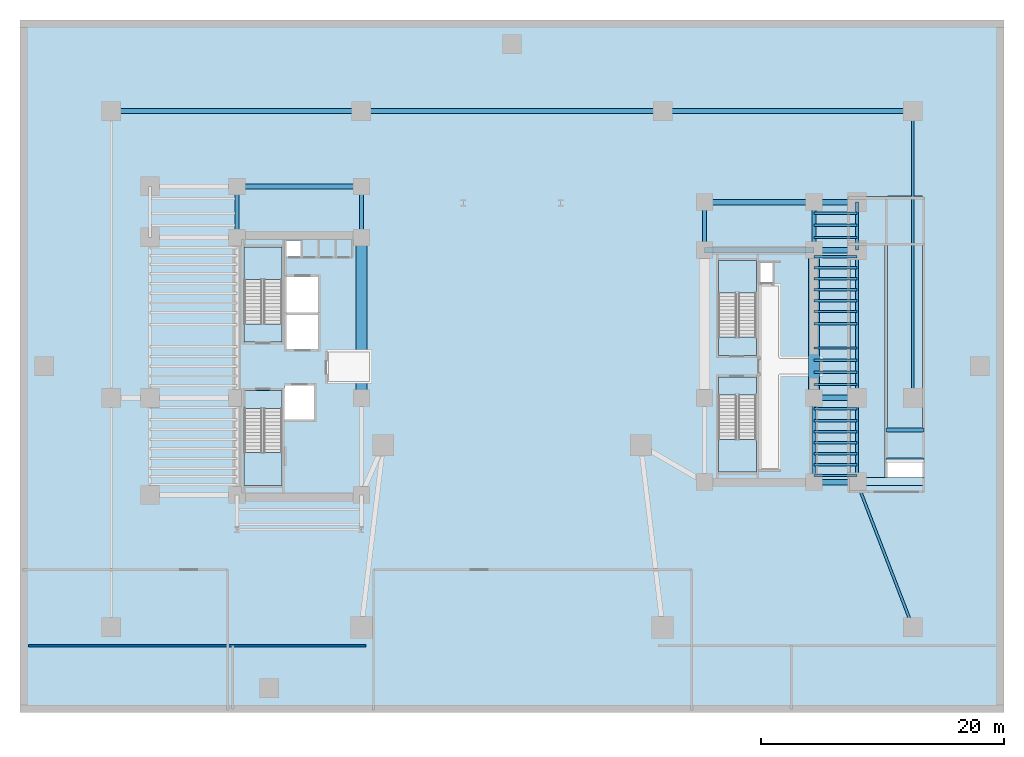
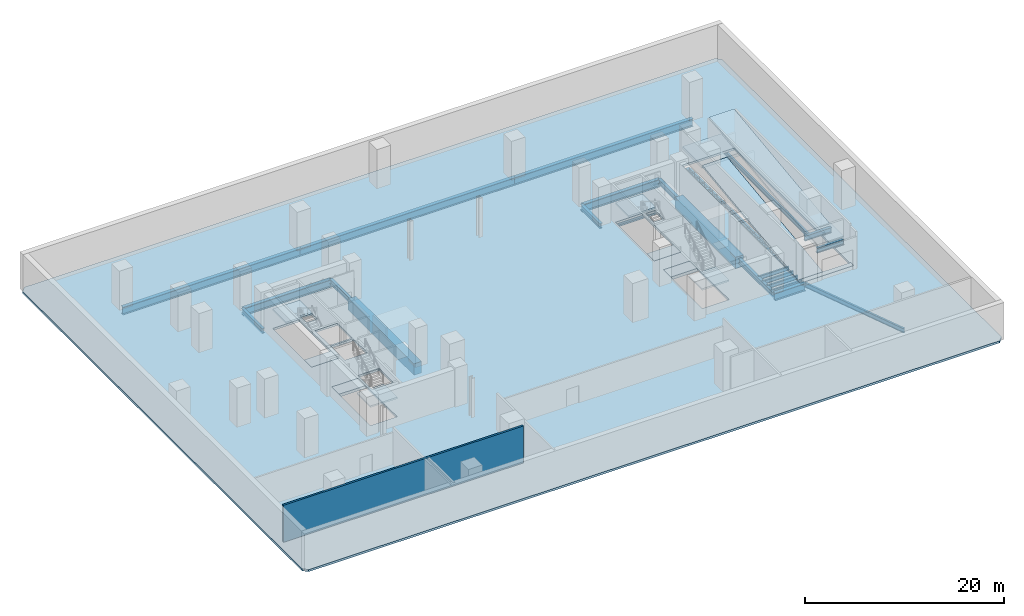
# One storey, part 2 of 10: 45 beams, 14 slabs, 1 wall, 4 elements without a shape of their own.
"""IFC4 building model written with IfcOpenShell, lengths in metres."""

from ifc_helpers import new_model, si_unit, direction, frame, frame_2d, origin, origin_2d, place, context, subcontext, project, spatial, polyline, rectangle, i_section, outline, extrude, source, transform, mapped, material, layer, layer_set, material_profile, profile_set, type_object, element, aggregate, save


model = new_model("IFC4")

# Units and contexts
model_context = context("Model", 3, precision=1e-05, world=origin(), true_north=direction((0.0, 1.0)))
body_context = subcontext(model_context, "Body", "Model", "MODEL_VIEW")
ifc_project = project(units=[si_unit("LENGTHUNIT", "METRE"), si_unit("AREAUNIT", "SQUARE_METRE"), si_unit("VOLUMEUNIT", "CUBIC_METRE"), si_unit("PLANEANGLEUNIT", "RADIAN"), si_unit("MASSUNIT", "GRAM", prefix="KILO")], contexts=[model_context])

# Site, building, storey
site_placement = place(None, origin())
site = spatial("IfcSite", under=ifc_project, at=site_placement, CompositionType="ELEMENT")
building_placement = place(site_placement, origin())
building = spatial("IfcBuilding", under=site, at=building_placement, Name="Valdorenza Pilgrim Sanctuary Tower", CompositionType="ELEMENT")
storey_placement = place(building_placement, frame((0.0, 0.0, -4.800048828125)))
storey = spatial("IfcBuildingStorey", under=building, at=storey_placement, Name="B01", CompositionType="ELEMENT", Elevation=-4.800048828125)

# Beams
ifc_material_1 = material(Name="Concrete C60/75", Category="concrete")
ifc_material_profile_1 = material_profile(ifc_material_1, rectangle(XDim=0.89990234375, YDim=1.39990234375, at=origin_2d()), Name="RC 1400x900")
ifc_profile_set_1 = profile_set([ifc_material_profile_1], Name="Concrete C60/75")
beam_type_1 = type_object("IfcBeamType", Name="STR-BM-LNT-1400", PredefinedType="LINTEL", material=ifc_profile_set_1)
shared_shape_1 = source(origin(), body_context, "Body", "SweptSolid", [
    extrude(rectangle(XDim=0.89990234375, YDim=1.39990234375, at=origin_2d()), origin(), (0.0, 0.0, 1.0), 13.2001953125),
])
beam_1_placement = place(storey_placement, frame((-12.39990234375, -2.60009765625, -0.739990234375), z_axis=(0.0, 1.0, 0.0), x_axis=(-1.0, 0.0, 0.0)))
element("IfcBeam", 1, at=beam_1_placement, inside=storey, type_object=beam_type_1, Name="B01 Core A Coupling Lintel Girder", PredefinedType="LINTEL", context=body_context, shape_type="MappedRepresentation", body=[
    mapped(shared_shape_1, transform((0.0, 0.0, 0.0), x_axis=(1.0, 0.0, 0.0), y_axis=(0.0, 1.0, 0.0), z_axis=(0.0, 0.0, 1.0), scale=1.0)),
])
shared_shape_2 = source(origin(), body_context, "Body", "SweptSolid", [
    extrude(rectangle(XDim=0.89990234375, YDim=1.39990234375, at=origin_2d()), origin(), (0.0, 0.0, 1.0), 12.150146484375),
])
beam_2_placement = place(storey_placement, frame((24.85009765625, -2.60009765625, -0.739990234375), z_axis=(0.0, 1.0, 0.0), x_axis=(-1.0, 0.0, 0.0)))
element("IfcBeam", 2, at=beam_2_placement, inside=storey, type_object=beam_type_1, Name="B01 Core B East Coupling Lintel Girder", PredefinedType="LINTEL", context=body_context, shape_type="MappedRepresentation", body=[
    mapped(shared_shape_2, transform((0.0, 0.0, 0.0), x_axis=(1.0, 0.0, 0.0), y_axis=(0.0, 1.0, 0.0), z_axis=(0.0, 0.0, 1.0), scale=1.0)),
])
ifc_material_2 = material(Name="Steel ASTM A992 Grade 50", Category="steel")
ifc_material_profile_2 = material_profile(ifc_material_2, i_section(OverallWidth=0.423095703125, OverallDepth=0.947998046875, WebThickness=0.02392578125, FlangeThickness=0.042724609375, at=origin_2d()), Name="W36X302")
ifc_profile_set_2 = profile_set([ifc_material_profile_2], Name="Steel ASTM A992 Grade 50")
beam_type_2 = type_object("IfcBeamType", Name="STR-BM-GRD-W36A", PredefinedType="BEAM", material=ifc_profile_set_2)
shared_shape_3 = source(origin(), body_context, "Body", "SweptSolid", [
    extrude(i_section(OverallWidth=0.423095703125, OverallDepth=0.947998046875, WebThickness=0.02392578125, FlangeThickness=0.042724609375, at=origin_2d()), origin(), (0.0, 0.0, 1.0), 10.25),
])
beam_3_placement = place(storey_placement, frame((-22.64990234375, 14.800048828125, -0.73388671875), z_axis=(1.0, 0.0, 0.0), x_axis=(0.0, 1.0, 0.0)))
element("IfcBeam", 3, at=beam_3_placement, inside=storey, type_object=beam_type_2, Name="B01 Floor Girder CA-XC-N2", PredefinedType="BEAM", context=body_context, shape_type="MappedRepresentation", body=[
    mapped(shared_shape_3, transform((0.0, 0.0, 0.0), x_axis=(1.0, 0.0, 0.0), y_axis=(0.0, 1.0, 0.0), z_axis=(0.0, 0.0, 1.0), scale=1.0)),
])
ifc_material_profile_3 = material_profile(ifc_material_2, i_section(OverallWidth=0.323974609375, OverallDepth=0.611083984375, WebThickness=0.0126953125, FlangeThickness=0.01904296875, at=origin_2d()), Name="W24X104")
ifc_profile_set_3 = profile_set([ifc_material_profile_3], Name="Steel ASTM A992 Grade 50")
beam_type_3 = type_object("IfcBeamType", Name="STR-BM-GRD-W24B", PredefinedType="BEAM", material=ifc_profile_set_3)
shared_shape_4 = source(origin(), body_context, "Body", "SweptSolid", [
    extrude(i_section(OverallWidth=0.323974609375, OverallDepth=0.611083984375, WebThickness=0.0126953125, FlangeThickness=0.01904296875, at=origin_2d()), origin(), (0.0, 0.0, 1.0), 4.199951171875),
])
for number, where, z_axis, x_axis, name in (
    (4, (-22.64990234375, 10.60009765625, -0.5654296875), (0.0, 1.0, 0.0), (-1.0, 0.0, 0.0), "B01 Core Tie Girder CA-W-N1N2"),
    (5, (-12.39990234375, 10.60009765625, -0.5654296875), (0.0, 1.0, 0.0), (-1.0, 0.0, 0.0), "B01 Core Tie Girder CA-E-N1N2"),
):
    element("IfcBeam", number, at=place(storey_placement, frame(where, z_axis=z_axis, x_axis=x_axis)), inside=storey, type_object=beam_type_3, Name=name, PredefinedType="BEAM", context=body_context, shape_type="MappedRepresentation", body=[
        mapped(shared_shape_4, transform((0.0, 0.0, 0.0), x_axis=(1.0, 0.0, 0.0), y_axis=(0.0, 1.0, 0.0), z_axis=(0.0, 0.0, 1.0), scale=1.0)),
    ])
shared_shape_5 = source(origin(), body_context, "Body", "SweptSolid", [
    extrude(i_section(OverallWidth=0.423095703125, OverallDepth=0.947998046875, WebThickness=0.02392578125, FlangeThickness=0.042724609375, at=origin_2d()), origin(), (0.0, 0.0, 1.0), 9.0),
])
for number, where, z_axis, x_axis, name in (
    (6, (15.85009765625, 9.550048828125, -0.73388671875), (1.0, 0.0, 0.0), (0.0, 1.0, 0.0), "B01 Floor Girder CB-XC-N1"),
    (7, (15.85009765625, 13.5, -0.73388671875), (1.0, 0.0, 0.0), (0.0, 1.0, 0.0), "B01 Floor Girder CB-XC-N2"),
):
    element("IfcBeam", number, at=place(storey_placement, frame(where, z_axis=z_axis, x_axis=x_axis)), inside=storey, type_object=beam_type_2, Name=name, PredefinedType="BEAM", context=body_context, shape_type="MappedRepresentation", body=[
        mapped(shared_shape_5, transform((0.0, 0.0, 0.0), x_axis=(1.0, 0.0, 0.0), y_axis=(0.0, 1.0, 0.0), z_axis=(0.0, 0.0, 1.0), scale=1.0)),
    ])
shared_shape_6 = source(origin(), body_context, "Body", "SweptSolid", [
    extrude(i_section(OverallWidth=0.423095703125, OverallDepth=0.947998046875, WebThickness=0.02392578125, FlangeThickness=0.042724609375, at=origin_2d()), origin(), (0.0, 0.0, 1.0), 3.5498046875),
])
for number, where, z_axis, x_axis, name in (
    (8, (24.85009765625, -9.550048828125, -0.73388671875), (1.0, 0.0, 0.0), (0.0, 1.0, 0.0), "B01 Floor Girder WB-XE-S1"),
    (9, (24.85009765625, -2.60009765625, -0.73388671875), (1.0, 0.0, 0.0), (0.0, 1.0, 0.0), "B01 Floor Girder WB-XE-M0"),
    (10, (24.85009765625, 9.550048828125, -0.73388671875), (1.0, 0.0, 0.0), (0.0, 1.0, 0.0), "B01 Floor Girder WB-XE-N1"),
    (11, (24.85009765625, 13.5, -0.73388671875), (1.0, 0.0, 0.0), (0.0, 1.0, 0.0), "B01 Floor Girder WB-XE-N2"),
):
    element("IfcBeam", number, at=place(storey_placement, frame(where, z_axis=z_axis, x_axis=x_axis)), inside=storey, type_object=beam_type_2, Name=name, PredefinedType="BEAM", context=body_context, shape_type="MappedRepresentation", body=[
        mapped(shared_shape_6, transform((0.0, 0.0, 0.0), x_axis=(1.0, 0.0, 0.0), y_axis=(0.0, 1.0, 0.0), z_axis=(0.0, 0.0, 1.0), scale=1.0)),
    ])
shared_shape_7 = source(origin(), body_context, "Body", "SweptSolid", [
    extrude(i_section(OverallWidth=0.323974609375, OverallDepth=0.611083984375, WebThickness=0.0126953125, FlangeThickness=0.01904296875, at=origin_2d()), origin(), (0.0, 0.0, 1.0), 6.949951171875),
])
beam_4_placement = place(storey_placement, frame((24.85009765625, -9.550048828125, -0.5654296875), z_axis=(0.0, 1.0, 0.0), x_axis=(-1.0, 0.0, 0.0)))
element("IfcBeam", 12, at=beam_4_placement, inside=storey, type_object=beam_type_3, Name="B01 Core Tie Girder CB-E-S1M0", PredefinedType="BEAM", context=body_context, shape_type="MappedRepresentation", body=[
    mapped(shared_shape_7, transform((0.0, 0.0, 0.0), x_axis=(1.0, 0.0, 0.0), y_axis=(0.0, 1.0, 0.0), z_axis=(0.0, 0.0, 1.0), scale=1.0)),
])
ifc_material_profile_4 = material_profile(ifc_material_2, i_section(OverallWidth=0.214111328125, OverallDepth=0.549072265625, WebThickness=0.0146484375, FlangeThickness=0.023681640625, at=origin_2d()), Name="W21X93")
ifc_profile_set_4 = profile_set([ifc_material_profile_4], Name="Steel ASTM A992 Grade 50")
beam_type_4 = type_object("IfcBeamType", Name="STR-BM-SPN-W21A", PredefinedType="SPANDREL", material=ifc_profile_set_4)
shared_shape_8 = source(origin(), body_context, "Body", "SweptSolid", [
    extrude(i_section(OverallWidth=0.214111328125, OverallDepth=0.549072265625, WebThickness=0.0146484375, FlangeThickness=0.023681640625, at=origin_2d()), origin(), (0.0, 0.0, 1.0), 6.949951171875),
])
beam_5_placement = place(storey_placement, frame((28.39990234375, -9.550048828125, -0.534423828125), z_axis=(0.0, 1.0, 0.0), x_axis=(-1.0, 0.0, 0.0)))
element("IfcBeam", 13, at=beam_5_placement, inside=storey, type_object=beam_type_4, Name="B01 Spandrel Beam WB-E-S1M0", PredefinedType="SPANDREL", context=body_context, shape_type="MappedRepresentation", body=[
    mapped(shared_shape_8, transform((0.0, 0.0, 0.0), x_axis=(1.0, 0.0, 0.0), y_axis=(0.0, 1.0, 0.0), z_axis=(0.0, 0.0, 1.0), scale=1.0)),
])
shared_shape_9 = source(origin(), body_context, "Body", "SweptSolid", [
    extrude(i_section(OverallWidth=0.214111328125, OverallDepth=0.549072265625, WebThickness=0.0146484375, FlangeThickness=0.023681640625, at=origin_2d()), origin(), (0.0, 0.0, 1.0), 12.150146484375),
])
beam_6_placement = place(storey_placement, frame((28.39990234375, -2.60009765625, -0.534423828125), z_axis=(0.0, 1.0, 0.0), x_axis=(-1.0, 0.0, 0.0)))
element("IfcBeam", 14, at=beam_6_placement, inside=storey, type_object=beam_type_4, Name="B01 Spandrel Beam WB-E-M0N1", PredefinedType="SPANDREL", context=body_context, shape_type="MappedRepresentation", body=[
    mapped(shared_shape_9, transform((0.0, 0.0, 0.0), x_axis=(1.0, 0.0, 0.0), y_axis=(0.0, 1.0, 0.0), z_axis=(0.0, 0.0, 1.0), scale=1.0)),
])
shared_shape_10 = source(origin(), body_context, "Body", "SweptSolid", [
    extrude(i_section(OverallWidth=0.323974609375, OverallDepth=0.611083984375, WebThickness=0.0126953125, FlangeThickness=0.01904296875, at=origin_2d()), origin(), (0.0, 0.0, 1.0), 3.949951171875),
])
for number, where, z_axis, x_axis, name in (
    (15, (15.85009765625, 9.550048828125, -0.5654296875), (0.0, 1.0, 0.0), (-1.0, 0.0, 0.0), "B01 Core Tie Girder CB-W-N1N2"),
    (16, (24.85009765625, 9.550048828125, -0.5654296875), (0.0, 1.0, 0.0), (-1.0, 0.0, 0.0), "B01 Core Tie Girder CB-E-N1N2"),
):
    element("IfcBeam", number, at=place(storey_placement, frame(where, z_axis=z_axis, x_axis=x_axis)), inside=storey, type_object=beam_type_3, Name=name, PredefinedType="BEAM", context=body_context, shape_type="MappedRepresentation", body=[
        mapped(shared_shape_10, transform((0.0, 0.0, 0.0), x_axis=(1.0, 0.0, 0.0), y_axis=(0.0, 1.0, 0.0), z_axis=(0.0, 0.0, 1.0), scale=1.0)),
    ])
shared_shape_11 = source(origin(), body_context, "Body", "SweptSolid", [
    extrude(i_section(OverallWidth=0.214111328125, OverallDepth=0.549072265625, WebThickness=0.0146484375, FlangeThickness=0.023681640625, at=origin_2d()), origin(), (0.0, 0.0, 1.0), 3.949951171875),
])
beam_7_placement = place(storey_placement, frame((28.39990234375, 9.550048828125, -0.534423828125), z_axis=(0.0, 1.0, 0.0), x_axis=(-1.0, 0.0, 0.0)))
element("IfcBeam", 17, at=beam_7_placement, inside=storey, type_object=beam_type_4, Name="B01 Spandrel Beam WB-E-N1N2", PredefinedType="SPANDREL", context=body_context, shape_type="MappedRepresentation", body=[
    mapped(shared_shape_11, transform((0.0, 0.0, 0.0), x_axis=(1.0, 0.0, 0.0), y_axis=(0.0, 1.0, 0.0), z_axis=(0.0, 0.0, 1.0), scale=1.0)),
])
ifc_material_profile_5 = material_profile(ifc_material_2, i_section(OverallWidth=0.193115234375, OverallDepth=0.466064453125, WebThickness=0.011474609375, FlangeThickness=0.01904296875, at=origin_2d()), Name="W18X65")
ifc_profile_set_5 = profile_set([ifc_material_profile_5], Name="Steel ASTM A992 Grade 50")
beam_type_5 = type_object("IfcBeamType", Name="STR-BM-JST-W18A", PredefinedType="JOIST", material=ifc_profile_set_5)
shared_shape_12 = source(origin(), body_context, "Body", "SweptSolid", [
    extrude(i_section(OverallWidth=0.193115234375, OverallDepth=0.466064453125, WebThickness=0.011474609375, FlangeThickness=0.01904296875, at=origin_2d()), origin(), (0.0, 0.0, 1.0), 3.5498046875),
])
for number, where, z_axis, x_axis, name in (
    (18, (24.85009765625, -9.0, -0.492919921875), (1.0, 0.0, 0.0), (0.0, 1.0, 0.0), "B01 Composite Floor Joist JST-WB-1"),
    (19, (24.85009765625, -8.10009765625, -0.492919921875), (1.0, 0.0, 0.0), (0.0, 1.0, 0.0), "B01 Composite Floor Joist JST-WB-2"),
    (20, (24.85009765625, -7.199951171875, -0.492919921875), (1.0, 0.0, 0.0), (0.0, 1.0, 0.0), "B01 Composite Floor Joist JST-WB-3"),
    (21, (24.85009765625, -6.300048828125, -0.492919921875), (1.0, 0.0, 0.0), (0.0, 1.0, 0.0), "B01 Composite Floor Joist JST-WB-4"),
    (22, (24.85009765625, -5.39990234375, -0.492919921875), (1.0, 0.0, 0.0), (0.0, 1.0, 0.0), "B01 Composite Floor Joist JST-WB-5"),
    (23, (24.85009765625, -4.5, -0.492919921875), (1.0, 0.0, 0.0), (0.0, 1.0, 0.0), "B01 Composite Floor Joist JST-WB-6"),
    (24, (24.85009765625, -3.5, -0.492919921875), (1.0, 0.0, 0.0), (0.0, 1.0, 0.0), "B01 Composite Floor Joist JST-WB-7"),
    (25, (24.85009765625, -1.5, -0.492919921875), (1.0, 0.0, 0.0), (0.0, 1.0, 0.0), "B01 Composite Floor Joist JST-WB-8"),
    (26, (24.85009765625, -0.5, -0.492919921875), (1.0, 0.0, 0.0), (0.0, 1.0, 0.0), "B01 Composite Floor Joist JST-WB-9"),
    (27, (24.85009765625, 0.5, -0.492919921875), (1.0, 0.0, 0.0), (0.0, 1.0, 0.0), "B01 Composite Floor Joist JST-WB-10"),
    (28, (24.85009765625, 1.5, -0.492919921875), (1.0, 0.0, 0.0), (0.0, 1.0, 0.0), "B01 Composite Floor Joist JST-WB-11"),
    (29, (24.85009765625, 3.5, -0.492919921875), (1.0, 0.0, 0.0), (0.0, 1.0, 0.0), "B01 Composite Floor Joist JST-WB-12"),
    (30, (24.85009765625, 4.5, -0.492919921875), (1.0, 0.0, 0.0), (0.0, 1.0, 0.0), "B01 Composite Floor Joist JST-WB-13"),
    (31, (24.85009765625, 5.39990234375, -0.492919921875), (1.0, 0.0, 0.0), (0.0, 1.0, 0.0), "B01 Composite Floor Joist JST-WB-14"),
    (32, (24.85009765625, 6.300048828125, -0.492919921875), (1.0, 0.0, 0.0), (0.0, 1.0, 0.0), "B01 Composite Floor Joist JST-WB-15"),
    (33, (24.85009765625, 7.199951171875, -0.492919921875), (1.0, 0.0, 0.0), (0.0, 1.0, 0.0), "B01 Composite Floor Joist JST-WB-16"),
    (34, (24.85009765625, 8.10009765625, -0.492919921875), (1.0, 0.0, 0.0), (0.0, 1.0, 0.0), "B01 Composite Floor Joist JST-WB-17"),
    (35, (24.85009765625, 9.0, -0.492919921875), (1.0, 0.0, 0.0), (0.0, 1.0, 0.0), "B01 Composite Floor Joist JST-WB-18"),
    (36, (24.85009765625, 10.60009765625, -0.492919921875), (1.0, 0.0, 0.0), (0.0, 1.0, 0.0), "B01 Composite Floor Joist JST-WB-19"),
    (37, (24.85009765625, 11.60009765625, -0.492919921875), (1.0, 0.0, 0.0), (0.0, 1.0, 0.0), "B01 Composite Floor Joist JST-WB-20"),
    (38, (24.85009765625, 12.60009765625, -0.492919921875), (1.0, 0.0, 0.0), (0.0, 1.0, 0.0), "B01 Composite Floor Joist JST-WB-21"),
):
    element("IfcBeam", number, at=place(storey_placement, frame(where, z_axis=z_axis, x_axis=x_axis)), inside=storey, type_object=beam_type_5, Name=name, PredefinedType="JOIST", context=body_context, shape_type="MappedRepresentation", body=[
        mapped(shared_shape_12, transform((0.0, 0.0, 0.0), x_axis=(1.0, 0.0, 0.0), y_axis=(0.0, 1.0, 0.0), z_axis=(0.0, 0.0, 1.0), scale=1.0)),
    ])
shared_shape_13 = source(origin(), body_context, "Body", "SweptSolid", [
    extrude(i_section(OverallWidth=0.214111328125, OverallDepth=0.549072265625, WebThickness=0.0146484375, FlangeThickness=0.023681640625, at=origin_2d()), origin(), (0.0, 0.0, 1.0), 23.60009765625),
])
beam_8_placement = place(storey_placement, frame((33.0, -2.60009765625, -0.534423828125), z_axis=(0.0, 1.0, 0.0), x_axis=(-1.0, 0.0, 0.0)))
element("IfcBeam", 39, at=beam_8_placement, inside=storey, type_object=beam_type_4, Name="B01 Floor Girder POD-SPN-EN", PredefinedType="SPANDREL", context=body_context, shape_type="MappedRepresentation", body=[
    mapped(shared_shape_13, transform((0.0, 0.0, 0.0), x_axis=(1.0, 0.0, 0.0), y_axis=(0.0, 1.0, 0.0), z_axis=(0.0, 0.0, 1.0), scale=1.0)),
])
shared_shape_14 = source(origin(), body_context, "Body", "SweptSolid", [
    extrude(i_section(OverallWidth=0.214111328125, OverallDepth=0.549072265625, WebThickness=0.0146484375, FlangeThickness=0.023681640625, at=origin_2d()), origin(), (0.0, 0.0, 1.0), 12.8046875),
])
beam_9_placement = place(storey_placement, frame((33.0, -21.5, -0.534423828125), z_axis=(-0.35924864716, 0.933241881569, 0.0), x_axis=(-0.933241881569, -0.35924864716, 0.0)))
element("IfcBeam", 40, at=beam_9_placement, inside=storey, type_object=beam_type_4, Name="B01 Floor Girder POD-SPN-ES", PredefinedType="SPANDREL", context=body_context, shape_type="MappedRepresentation", body=[
    mapped(shared_shape_14, transform((0.0, 0.0, 0.0), x_axis=(1.0, 0.0, 0.0), y_axis=(0.0, 1.0, 0.0), z_axis=(0.0, 0.0, 1.0), scale=1.0)),
])
shared_shape_15 = source(origin(), body_context, "Body", "SweptSolid", [
    extrude(i_section(OverallWidth=0.423095703125, OverallDepth=0.947998046875, WebThickness=0.02392578125, FlangeThickness=0.042724609375, at=origin_2d()), origin(), (0.0, 0.0, 1.0), 20.60009765625),
])
for number, where, z_axis, x_axis, name in (
    (41, (-33.0, 21.0, -0.73388671875), (1.0, 0.0, 0.0), (0.0, 1.0, 0.0), "B01 Floor Girder POD-N-TIE1"),
    (42, (12.39990234375, 21.0, -0.73388671875), (1.0, 0.0, 0.0), (0.0, 1.0, 0.0), "B01 Floor Girder POD-N-TIE3"),
):
    element("IfcBeam", number, at=place(storey_placement, frame(where, z_axis=z_axis, x_axis=x_axis)), inside=storey, type_object=beam_type_2, Name=name, PredefinedType="BEAM", context=body_context, shape_type="MappedRepresentation", body=[
        mapped(shared_shape_15, transform((0.0, 0.0, 0.0), x_axis=(1.0, 0.0, 0.0), y_axis=(0.0, 1.0, 0.0), z_axis=(0.0, 0.0, 1.0), scale=1.0)),
    ])
shared_shape_16 = source(origin(), body_context, "Body", "SweptSolid", [
    extrude(i_section(OverallWidth=0.423095703125, OverallDepth=0.947998046875, WebThickness=0.02392578125, FlangeThickness=0.042724609375, at=origin_2d()), origin(), (0.0, 0.0, 1.0), 24.7998046875),
])
beam_10_placement = place(storey_placement, frame((-12.39990234375, 21.0, -0.73388671875), z_axis=(1.0, 0.0, 0.0), x_axis=(0.0, 1.0, 0.0)))
element("IfcBeam", 43, at=beam_10_placement, inside=storey, type_object=beam_type_2, Name="B01 Floor Girder POD-N-TIE2", PredefinedType="BEAM", context=body_context, shape_type="MappedRepresentation", body=[
    mapped(shared_shape_16, transform((0.0, 0.0, 0.0), x_axis=(1.0, 0.0, 0.0), y_axis=(0.0, 1.0, 0.0), z_axis=(0.0, 0.0, 1.0), scale=1.0)),
])
shared_shape_17 = source(origin(), body_context, "Body", "SweptSolid", [
    extrude(i_section(OverallWidth=0.323974609375, OverallDepth=0.611083984375, WebThickness=0.0126953125, FlangeThickness=0.01904296875, at=origin_2d()), origin(), (0.0, 0.0, 1.0), 3.099853515625),
])
for number, where, z_axis, x_axis, name in (
    (44, (30.800048828125, -7.699951171875, 1.68994140625), (1.0, 0.0, 0.0), (0.0, 1.0, 0.0), "B01 Vehicle Ramp Arrival Bearing Beam S1"),
    (45, (30.800048828125, -5.25, 1.68994140625), (1.0, 0.0, 0.0), (0.0, 1.0, 0.0), "B01 Vehicle Ramp Arrival Bearing Beam S2"),
):
    element("IfcBeam", number, at=place(storey_placement, frame(where, z_axis=z_axis, x_axis=x_axis)), inside=storey, type_object=beam_type_3, Name=name, PredefinedType="BEAM", context=body_context, shape_type="MappedRepresentation", body=[
        mapped(shared_shape_17, transform((0.0, 0.0, 0.0), x_axis=(1.0, 0.0, 0.0), y_axis=(0.0, 1.0, 0.0), z_axis=(0.0, 0.0, 1.0), scale=1.0)),
    ])

# Slab
ifc_material_3 = material(Name="Concrete C50/60", Category="concrete")
ifc_layer_1 = layer(ifc_material_3, 0.260009765625, Name="Concrete C50/60")
ifc_layer_set_1 = layer_set([ifc_layer_1], Name="Concrete C50/60")
slab_type_1 = type_object("IfcSlabType", Name="SLAB-BSM-260", PredefinedType="FLOOR", material=ifc_layer_set_1)
slab_1_placement = place(storey_placement, frame((0.0, 0.0, -0.260009765625)))
element("IfcSlab", 46, at=slab_1_placement, inside=storey, type_object=slab_type_1, Name="B01 Structural Floor Slab 1", PredefinedType="FLOOR", context=body_context, shape_type="SweptSolid", body=[
    extrude(outline(polyline([(-40.5, 28.0), (-40.0, 28.5), (40.0, 28.5), (40.5, 28.0), (40.5, -28.0), (40.0, -28.5), (-40.0, -28.5), (-40.5, -28.0), (-40.5, 28.0)]), holes=[polyline([(-22.050048828125, -9.800048828125), (-18.93994140625, -9.800048828125), (-18.93994140625, -3.485107421875), (-18.93994140625, -2.0), (-22.050048828125, -2.0), (-22.050048828125, -3.485107421875), (-22.050048828125, -9.800048828125)]), polyline([(-16.300048828125, -4.39990234375), (-16.300048828125, -1.60009765625), (-18.719970703125, -1.60009765625), (-18.719970703125, -4.39990234375), (-16.300048828125, -4.39990234375)]), polyline([(-22.050048828125, 2.0), (-18.93994140625, 2.0), (-18.93994140625, 3.485107421875), (-18.93994140625, 9.800048828125), (-22.050048828125, 9.800048828125), (-22.050048828125, 3.485107421875), (-22.050048828125, 2.0)]), polyline([(-15.949951171875, 1.39990234375), (-15.949951171875, 4.22509765625), (-18.550048828125, 4.22509765625), (-18.550048828125, 1.39990234375), (-15.949951171875, 1.39990234375)]), polyline([(-15.949951171875, 4.425048828125), (-15.949951171875, 7.35009765625), (-18.550048828125, 7.35009765625), (-18.550048828125, 4.425048828125), (-15.949951171875, 4.425048828125)]), polyline([(-17.360107421875, 9.030029296875), (-17.360107421875, 10.35009765625), (-18.570068359375, 10.35009765625), (-18.570068359375, 9.030029296875), (-17.360107421875, 9.030029296875)]), polyline([(33.89990234375, -9.800048828125), (33.89990234375, -9.179931640625), (33.800048828125, -9.179931640625), (33.800048828125, 13.985107421875), (27.800048828125, 13.985107421875), (27.800048828125, -9.179931640625), (27.699951171875, -9.179931640625), (27.699951171875, -9.800048828125), (33.89990234375, -9.800048828125)]), polyline([(17.0, -2.385009765625), (17.0, -8.699951171875), (20.110107421875, -8.699951171875), (20.110107421875, -2.385009765625), (20.110107421875, -0.89990234375), (17.0, -0.89990234375), (17.0, -2.385009765625)]), polyline([(17.0, 0.89990234375), (20.110107421875, 0.89990234375), (20.110107421875, 2.385009765625), (20.110107421875, 8.699951171875), (17.0, 8.699951171875), (17.0, 2.385009765625), (17.0, 0.89990234375)]), polyline([(21.489990234375, 6.860107421875), (21.489990234375, 8.52001953125), (20.409912109375, 8.52001953125), (20.409912109375, 6.860107421875), (21.489990234375, 6.860107421875)])]), origin(), (0.0, 0.0, 1.0), 0.260009765625),
])

# Stair, slab
ifc_material_4 = material(Name="Concrete C40/50", Category="concrete")
stair_type = type_object("IfcStairType", Name="STR-DOG-CORE", PredefinedType="HALF_TURN_STAIR", material=ifc_material_4)
stair_1_placement = place(storey_placement, origin())
stair_1 = element("IfcStair", 47, at=stair_1_placement, inside=storey, type_object=stair_type, Name="B01 ST-A1", PredefinedType="HALF_TURN_STAIR")
ifc_layer_2 = layer(ifc_material_4, 0.199951171875, Name="Concrete C40/50")
ifc_layer_set_2 = layer_set([ifc_layer_2], Name="Concrete C40/50")
slab_type_2 = type_object("IfcSlabType", Name="SLAB-STL-200", PredefinedType="LANDING", material=ifc_layer_set_2)
slab_2_placement = place(storey_placement, frame((0.0, 0.0, 2.199951171875)))
slab_2 = element("IfcSlab", 48, at=slab_2_placement, type_object=slab_type_2, Name="ST-A1 landing 1", PredefinedType="LANDING", context=body_context, shape_type="SweptSolid", body=[
    extrude(outline(polyline([(-18.93994140625, 7.1201171875), (-18.93994140625, 9.800048828125), (-22.050048828125, 9.800048828125), (-22.050048828125, 7.1201171875), (-18.93994140625, 7.1201171875)])), origin(), (0.0, 0.0, 1.0), 0.2001953125),
])
aggregate(stair_1, [slab_2])

stair_2_placement = place(storey_placement, origin())
stair_2 = element("IfcStair", 49, at=stair_2_placement, inside=storey, type_object=stair_type, Name="B01 ST-A2", PredefinedType="HALF_TURN_STAIR")
slab_3_placement = place(storey_placement, frame((0.0, 0.0, 2.199951171875)))
slab_3 = element("IfcSlab", 50, at=slab_3_placement, type_object=slab_type_2, Name="ST-A2 landing 1", PredefinedType="LANDING", context=body_context, shape_type="SweptSolid", body=[
    extrude(outline(polyline([(-22.050048828125, -7.1201171875), (-22.050048828125, -9.800048828125), (-18.93994140625, -9.800048828125), (-18.93994140625, -7.1201171875), (-22.050048828125, -7.1201171875)])), origin(), (0.0, 0.0, 1.0), 0.2001953125),
])
aggregate(stair_2, [slab_3])

stair_3_placement = place(storey_placement, origin())
stair_3 = element("IfcStair", 51, at=stair_3_placement, inside=storey, type_object=stair_type, Name="B01 ST-B1", PredefinedType="HALF_TURN_STAIR")
slab_4_placement = place(storey_placement, frame((0.0, 0.0, 2.199951171875)))
slab_4 = element("IfcSlab", 52, at=slab_4_placement, type_object=slab_type_2, Name="ST-B1 landing 1", PredefinedType="LANDING", context=body_context, shape_type="SweptSolid", body=[
    extrude(outline(polyline([(20.110107421875, 6.02001953125), (20.110107421875, 8.699951171875), (17.0, 8.699951171875), (17.0, 6.02001953125), (20.110107421875, 6.02001953125)])), origin(), (0.0, 0.0, 1.0), 0.2001953125),
])
aggregate(stair_3, [slab_4])

stair_4_placement = place(storey_placement, origin())
stair_4 = element("IfcStair", 53, at=stair_4_placement, inside=storey, type_object=stair_type, Name="B01 ST-B2", PredefinedType="HALF_TURN_STAIR")
slab_5_placement = place(storey_placement, frame((0.0, 0.0, 2.199951171875)))
slab_5 = element("IfcSlab", 54, at=slab_5_placement, type_object=slab_type_2, Name="ST-B2 landing 1", PredefinedType="LANDING", context=body_context, shape_type="SweptSolid", body=[
    extrude(outline(polyline([(17.0, -6.02001953125), (17.0, -8.699951171875), (20.110107421875, -8.699951171875), (20.110107421875, -6.02001953125), (17.0, -6.02001953125)])), origin(), (0.0, 0.0, 1.0), 0.2001953125),
])
aggregate(stair_4, [slab_5])

# Slabs
ifc_layer_3 = layer(ifc_material_3, 0.39990234375, Name="Concrete C50/60")
ifc_layer_set_3 = layer_set([ifc_layer_3], Name="Concrete C50/60")
slab_type_3 = type_object("IfcSlabType", Name="SLAB-TRF-400", PredefinedType="FLOOR", material=ifc_layer_set_3)
slab_6_placement = place(storey_placement, frame((0.0, 0.0, -0.35986328125)))
element("IfcSlab", 55, at=slab_6_placement, inside=storey, type_object=slab_type_3, Name="B01 ST-A1 Structural Stair Landing Bearing Slab", PredefinedType="FLOOR", context=body_context, shape_type="SweptSolid", body=[
    extrude(outline(polyline([(-22.050048828125, 2.0), (-18.93994140625, 2.0), (-18.93994140625, 3.485107421875), (-22.050048828125, 3.485107421875), (-22.050048828125, 2.0)])), origin(), (0.0, 0.0, 1.0), 0.35986328125),
])
slab_7_placement = place(storey_placement, frame((0.0, 0.0, -0.35986328125)))
element("IfcSlab", 56, at=slab_7_placement, inside=storey, type_object=slab_type_3, Name="B01 ST-A2 Structural Stair Landing Bearing Slab", PredefinedType="FLOOR", context=body_context, shape_type="SweptSolid", body=[
    extrude(outline(polyline([(-22.050048828125, -3.485107421875), (-18.93994140625, -3.485107421875), (-18.93994140625, -2.0), (-22.050048828125, -2.0), (-22.050048828125, -3.485107421875)])), origin(), (0.0, 0.0, 1.0), 0.35986328125),
])
slab_8_placement = place(storey_placement, frame((0.0, 0.0, -0.35986328125)))
element("IfcSlab", 57, at=slab_8_placement, inside=storey, type_object=slab_type_3, Name="B01 ST-B1 Structural Stair Landing Bearing Slab", PredefinedType="FLOOR", context=body_context, shape_type="SweptSolid", body=[
    extrude(outline(polyline([(17.0, 0.89990234375), (20.110107421875, 0.89990234375), (20.110107421875, 2.385009765625), (17.0, 2.385009765625), (17.0, 0.89990234375)])), origin(), (0.0, 0.0, 1.0), 0.35986328125),
])
slab_9_placement = place(storey_placement, frame((0.0, 0.0, -0.35986328125)))
element("IfcSlab", 58, at=slab_9_placement, inside=storey, type_object=slab_type_3, Name="B01 ST-B2 Structural Stair Landing Bearing Slab", PredefinedType="FLOOR", context=body_context, shape_type="SweptSolid", body=[
    extrude(outline(polyline([(17.0, -2.385009765625), (20.110107421875, -2.385009765625), (20.110107421875, -0.89990234375), (17.0, -0.89990234375), (17.0, -2.385009765625)])), origin(), (0.0, 0.0, 1.0), 0.35986328125),
])
slab_10_placement = place(storey_placement, frame((0.0, 0.0, 2.0)))
element("IfcSlab", 59, at=slab_10_placement, inside=storey, type_object=slab_type_3, Name="B01 Vehicle Ramp Arrival Bearing Slab", PredefinedType="FLOOR", context=body_context, shape_type="SweptSolid", body=[
    extrude(outline(polyline([(30.800048828125, -7.800048828125), (33.89990234375, -7.800048828125), (33.89990234375, -5.159912109375), (30.800048828125, -5.159912109375), (30.800048828125, -7.800048828125)])), origin(), (0.0, 0.0, 1.0), 0.400146484375),
])
slab_11_placement = place(storey_placement, frame((0.0, 0.0, -0.3798828125)))
element("IfcSlab", 60, at=slab_11_placement, inside=storey, type_object=slab_type_3, Name="B01 Vehicle Ramp Threshold Bearing Slab", PredefinedType="FLOOR", context=body_context, shape_type="SweptSolid", body=[
    extrude(outline(polyline([(27.699951171875, -9.800048828125), (33.89990234375, -9.800048828125), (33.89990234375, -9.179931640625), (27.699951171875, -9.179931640625), (27.699951171875, -9.800048828125)])), origin(), (0.0, 0.0, 1.0), 0.3798828125),
])
ifc_layer_4 = layer(ifc_material_4, 0.25, Name="Concrete C40/50")
ifc_layer_set_4 = layer_set([ifc_layer_4], Name="Concrete C40/50")
slab_type_4 = type_object("IfcSlabType", Name="SLAB-VRMP-250", PredefinedType="USERDEFINED", material=ifc_layer_set_4)
slab_12_placement = place(storey_placement, frame((27.81005859375, -9.199951171875, 0.0), z_axis=(0.0, -0.124042499192, 0.992276906107), x_axis=(1.0, 0.0, 0.0)))
element("IfcSlab", 61, at=slab_12_placement, inside=storey, type_object=slab_type_4, Name="Car Park Vehicle Ramp Slab B01-F1", ObjectType="VEHICLE_RAMP", PredefinedType="USERDEFINED", context=body_context, shape_type="SweptSolid", body=[
    extrude(outline(polyline([(0.0, 0.0), (2.8798828125, 0.0), (2.8798828125, 19.349388314591287), (0.0, 19.349388314591287), (0.0, 0.0)])), origin(), (0.0, 0.0, -1.0), 0.25),
])
slab_13_placement = place(storey_placement, frame((0.0, 0.0, 2.0400390625)))
element("IfcSlab", 62, at=slab_13_placement, inside=storey, type_object=slab_type_4, Name="Car Park Vehicle Ramp Turn Slab B01", ObjectType="VEHICLE_RAMP", PredefinedType="USERDEFINED", context=body_context, shape_type="SweptSolid", body=[
    extrude(outline(polyline([(27.75, 10.0), (33.85009765625, 10.0), (33.85009765625, 13.85009765625), (27.75, 13.85009765625), (27.75, 10.0)])), origin(), (0.0, 0.0, 1.0), 0.360107421875),
])
slab_14_placement = place(storey_placement, frame((30.909912109375, -5.199951171875, 2.400146484375), z_axis=(0.0, -0.124030075817, 0.992278459049), x_axis=(1.0, 0.0, 0.0)))
element("IfcSlab", 63, at=slab_14_placement, inside=storey, type_object=slab_type_4, Name="Car Park Vehicle Ramp Arrival Slab to Grade Gate VG-01", ObjectType="VEHICLE_RAMP", PredefinedType="USERDEFINED", context=body_context, shape_type="SweptSolid", body=[
    extrude(outline(polyline([(0.0, 0.0), (2.880126953125, 0.0), (2.880126953125, 19.349358032294532), (0.0, 19.349358032294532), (0.0, 0.0)])), origin(), (0.0, 0.0, -1.0), 0.25),
])

# Wall
ifc_layer_5 = layer(ifc_material_4, 0.219970703125, Name="Concrete C40/50")
ifc_layer_set_5 = layer_set([ifc_layer_5], Name="Concrete C40/50")
wall_type = type_object("IfcWallType", Name="WAL-STR-SHF-220", PredefinedType="SHEAR", material=ifc_layer_set_5)
wall_placement = place(storey_placement, frame((-39.800048828125, -23.0, 0.0), z_axis=(0.0, 0.0, 1.0), x_axis=(1.0, 0.0, 0.0)))
element("IfcWall", 64, at=wall_placement, inside=storey, type_object=wall_type, Name="B01 Forecourt Sidewalk Bearing Wall SW", PredefinedType="SHEAR", context=body_context, shape_type="SweptSolid", body=[
    extrude(rectangle(XDim=27.800048828125, YDim=0.219970703125, at=frame_2d((13.89990234375, 0.0))), origin(), (0.0, 0.0, 1.0), 4.52001953125),
])

save(model, "model.ifc")
